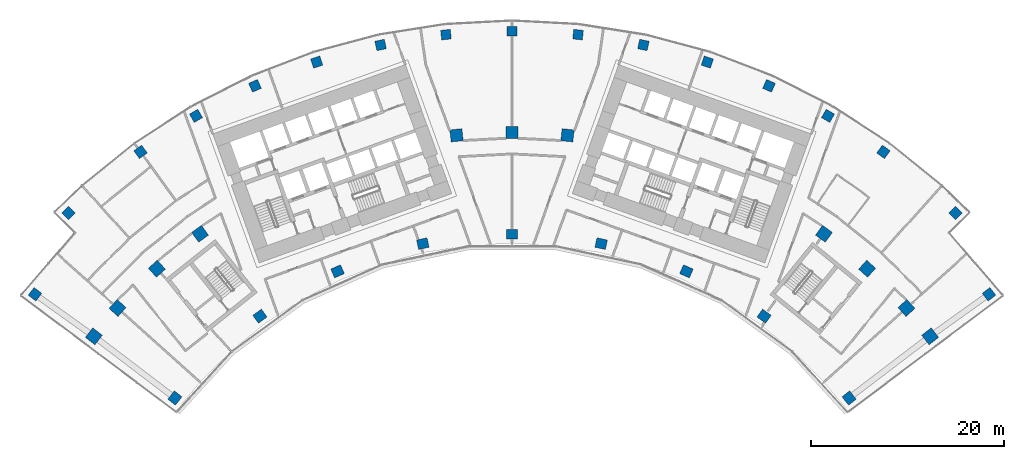
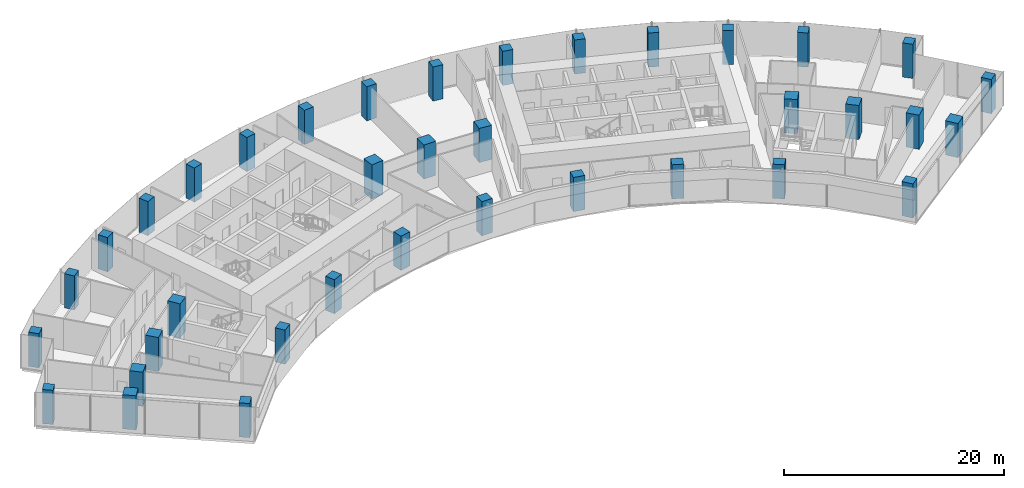
# One storey, part 1 of 20: 37 columns.
"""IFC4 building model written with IfcOpenShell, lengths in metres."""

from ifc_helpers import new_model, si_unit, direction, frame, origin, origin_2d, place, context, subcontext, project, spatial, rectangle, extrude, material, material_profile, profile_set, type_object, element, save


model = new_model("IFC4")

# Units and contexts
model_context = context("Model", 3, precision=1e-05, world=origin(), true_north=direction((0.0, 1.0)))
body_context = subcontext(model_context, "Body", "Model", "MODEL_VIEW")
ifc_project = project(units=[si_unit("LENGTHUNIT", "METRE"), si_unit("AREAUNIT", "SQUARE_METRE"), si_unit("VOLUMEUNIT", "CUBIC_METRE"), si_unit("PLANEANGLEUNIT", "RADIAN"), si_unit("MASSUNIT", "GRAM", prefix="KILO")], contexts=[model_context])

# Site, building, storey
site_placement = place(None, origin())
site = spatial("IfcSite", under=ifc_project, at=site_placement, CompositionType="ELEMENT")
building_placement = place(site_placement, origin())
building = spatial("IfcBuilding", under=site, at=building_placement, Name="Stone Belt Terrace Tower", CompositionType="ELEMENT")
storey_placement = place(building_placement, frame((0.0, 0.0, 147.800048828125)))
storey = spatial("IfcBuildingStorey", under=building, at=storey_placement, Name="L35", CompositionType="ELEMENT", Elevation=147.800048828125)

# Columns
ifc_material = material(Name="Concrete B80", Category="concrete")
ifc_material_profile_1 = material_profile(ifc_material, rectangle(XDim=1.0, YDim=1.0, at=origin_2d()), Name="RC 1000x1000")
ifc_profile_set_1 = profile_set([ifc_material_profile_1], Name="Concrete B80")
column_type_1 = type_object("IfcColumnType", Name="Column RC 1000x1000 B80", PredefinedType="COLUMN", material=ifc_profile_set_1)
for number, where, z_axis, x_axis, name in (
    (1, (-49.432861328125, 38.226318359375, 0.0), (0.0, 0.0, 1.0), (0.611730019057, 0.791066611472, 0.0), "Column L35 RA"),
    (2, (49.432861328125, 38.226318359375, 0.0), (0.0, 0.0, 1.0), (0.611730019057, -0.791066611472, 0.0), "Column L35 RB"),
    (3, (-45.95849609375, 46.654296875, 0.0), (0.0, 0.0, 1.0), (0.712398494182, 0.701775167334, 0.0), "Column L35 RNA"),
    (4, (-38.493408203125, 52.981689453125, 0.0), (0.0, 0.0, 1.0), (0.809016994375, 0.587785252292, 0.0), "Column L35 R16"),
    (5, (-32.744384765625, 56.715087890625, 0.0), (0.0, 0.0, 1.0), (0.866025403784, 0.5, 0.0), "Column L35 R17"),
    (6, (-26.63671875, 59.8271484375, 0.0), (0.0, 0.0, 1.0), (0.913545457643, 0.406736643076, 0.0), "Column L35 R18"),
    (7, (-20.2373046875, 62.28369140625, 0.0), (0.0, 0.0, 1.0), (0.951056516295, 0.309016994375, 0.0), "Column L35 R19"),
    (8, (-13.615966796875, 64.057861328125, 0.0), (0.0, 0.0, 1.0), (0.978147600734, 0.207911690818, 0.0), "Column L35 R20"),
    (9, (-6.845458984375, 65.130126953125, 0.0), (0.0, 0.0, 1.0), (0.994521895368, 0.104528463268, 0.0), "Column L35 R21"),
    (10, (0.0, 65.489013671875, 0.0), (0.0, 0.0, 1.0), (1.0, 0.0, 0.0), "Column L35 R22"),
    (11, (6.845458984375, 65.130126953125, 0.0), (0.0, 0.0, 1.0), (0.994521895368, -0.104528463268, 0.0), "Column L35 R23"),
    (12, (13.615966796875, 64.057861328125, 0.0), (0.0, 0.0, 1.0), (0.978147600734, -0.207911690818, 0.0), "Column L35 R24"),
    (13, (20.2373046875, 62.28369140625, 0.0), (0.0, 0.0, 1.0), (0.951056516295, -0.309016994375, 0.0), "Column L35 R25"),
    (14, (26.63671875, 59.8271484375, 0.0), (0.0, 0.0, 1.0), (0.913545457643, -0.406736643076, 0.0), "Column L35 R26"),
    (15, (32.744384765625, 56.715087890625, 0.0), (0.0, 0.0, 1.0), (0.866025403784, -0.5, 0.0), "Column L35 R27"),
    (16, (38.493408203125, 52.981689453125, 0.0), (0.0, 0.0, 1.0), (0.809016994375, -0.587785252292, 0.0), "Column L35 R28"),
    (17, (45.95849609375, 46.654296875, 0.0), (0.0, 0.0, 1.0), (0.712398494182, -0.701775167334, 0.0), "Column L35 RNB"),
):
    element("IfcColumn", number, at=place(storey_placement, frame(where, z_axis=z_axis, x_axis=x_axis)), inside=storey, type_object=column_type_1, Name=name, PredefinedType="COLUMN", context=body_context, shape_type="SweptSolid", body=[
        extrude(rectangle(XDim=1.0, YDim=1.0, at=origin_2d()), origin(), (0.0, 0.0, 1.0), 3.800048828125),
    ])
ifc_material_profile_2 = material_profile(ifc_material, rectangle(XDim=1.10009765625, YDim=1.0, at=origin_2d()), Name="RC 1100x1000")
ifc_profile_set_2 = profile_set([ifc_material_profile_2], Name="Concrete B80")
column_type_2 = type_object("IfcColumnType", Name="Column RC 1100x1000 B80", PredefinedType="COLUMN", material=ifc_profile_set_2)
for number, where, z_axis, x_axis, name in (
    (18, (-34.93408203125, 27.476806640625, 0.0), (0.0, 0.0, 1.0), (0.618217727677, 0.786006896399, 0.0), "Column L35 PA"),
    (19, (-26.1240234375, 35.956787109375, 0.0), (0.0, 0.0, 1.0), (0.809016994375, 0.587785252292, 0.0), "Column L35 P16"),
    (20, (-18.077392578125, 40.6025390625, 0.0), (0.0, 0.0, 1.0), (0.913545457643, 0.406736643076, 0.0), "Column L35 P18"),
    (21, (-9.240478515625, 43.473876953125, 0.0), (0.0, 0.0, 1.0), (0.978147600734, 0.207911690818, 0.0), "Column L35 P20"),
    (22, (0.0, 44.445068359375, 0.0), (0.0, 0.0, 1.0), (1.0, 0.0, 0.0), "Column L35 P22"),
    (23, (9.240478515625, 43.473876953125, 0.0), (0.0, 0.0, 1.0), (0.978147600734, -0.207911690818, 0.0), "Column L35 P24"),
    (24, (18.077392578125, 40.6025390625, 0.0), (0.0, 0.0, 1.0), (0.913545457643, -0.406736643076, 0.0), "Column L35 P26"),
    (25, (26.1240234375, 35.956787109375, 0.0), (0.0, 0.0, 1.0), (0.809016994375, -0.587785252292, 0.0), "Column L35 P28"),
    (26, (34.93408203125, 27.476806640625, 0.0), (0.0, 0.0, 1.0), (0.618217727677, -0.786006896399, 0.0), "Column L35 PB"),
):
    element("IfcColumn", number, at=place(storey_placement, frame(where, z_axis=z_axis, x_axis=x_axis)), inside=storey, type_object=column_type_2, Name=name, PredefinedType="COLUMN", context=body_context, shape_type="SweptSolid", body=[
        extrude(rectangle(XDim=1.10009765625, YDim=1.0, at=origin_2d()), origin(), (0.0, 0.0, 1.0), 3.800048828125),
    ])
ifc_material_profile_3 = material_profile(ifc_material, rectangle(XDim=1.25, YDim=1.25, at=origin_2d()), Name="RC 1250x1250")
ifc_profile_set_3 = profile_set([ifc_material_profile_3], Name="Concrete B80")
column_type_3 = type_object("IfcColumnType", Name="Column RC 1250x1250 B80", PredefinedType="COLUMN", material=ifc_profile_set_3)
for number, where, z_axis, x_axis, name in (
    (27, (-43.33349609375, 33.870361328125, 0.0), (0.0, 0.0, 1.0), (0.615825127294, 0.787882867306, 0.0), "Column L35 QA"),
    (28, (-40.873046875, 36.80224609375, 0.0), (0.0, 0.0, 1.0), (0.669130606359, 0.743144825477, 0.0), "Column L35 Q14"),
    (29, (-36.80224609375, 40.873046875, 0.0), (0.0, 0.0, 1.0), (0.743144825477, 0.669130606359, 0.0), "Column L35 Q15"),
    (30, (-32.328125, 44.495849609375, 0.0), (0.0, 0.0, 1.0), (0.809016994375, 0.587785252292, 0.0), "Column L35 Q16"),
    (31, (-5.7490234375, 54.69873046875, 0.0), (0.0, 0.0, 1.0), (0.994521895368, 0.104528463268, 0.0), "Column L35 Q21"),
    (32, (0.0, 55.0, 0.0), (0.0, 0.0, 1.0), (1.0, 0.0, 0.0), "Column L35 Q22"),
    (33, (5.7490234375, 54.69873046875, 0.0), (0.0, 0.0, 1.0), (0.994521895368, -0.104528463268, 0.0), "Column L35 Q23"),
    (34, (32.328125, 44.495849609375, 0.0), (0.0, 0.0, 1.0), (0.809016994375, -0.587785252292, 0.0), "Column L35 Q28"),
    (35, (36.80224609375, 40.873046875, 0.0), (0.0, 0.0, 1.0), (0.743144825477, -0.669130606359, 0.0), "Column L35 Q29"),
    (36, (40.873046875, 36.80224609375, 0.0), (0.0, 0.0, 1.0), (0.669130606359, -0.743144825477, 0.0), "Column L35 Q30"),
    (37, (43.33349609375, 33.870361328125, 0.0), (0.0, 0.0, 1.0), (0.615825127294, -0.787882867306, 0.0), "Column L35 QB"),
):
    element("IfcColumn", number, at=place(storey_placement, frame(where, z_axis=z_axis, x_axis=x_axis)), inside=storey, type_object=column_type_3, Name=name, PredefinedType="COLUMN", context=body_context, shape_type="SweptSolid", body=[
        extrude(rectangle(XDim=1.25, YDim=1.25, at=origin_2d()), origin(), (0.0, 0.0, 1.0), 3.800048828125),
    ])

save(model, "model.ifc")
